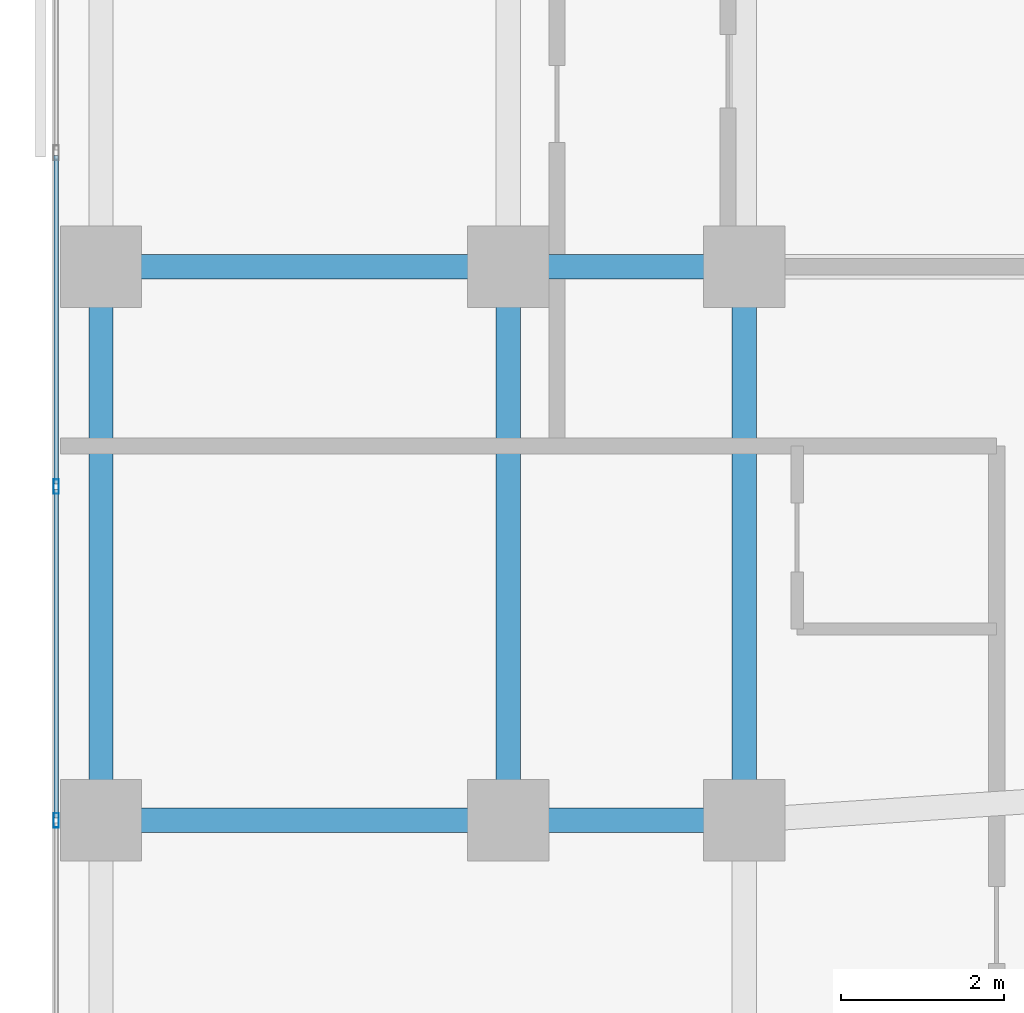
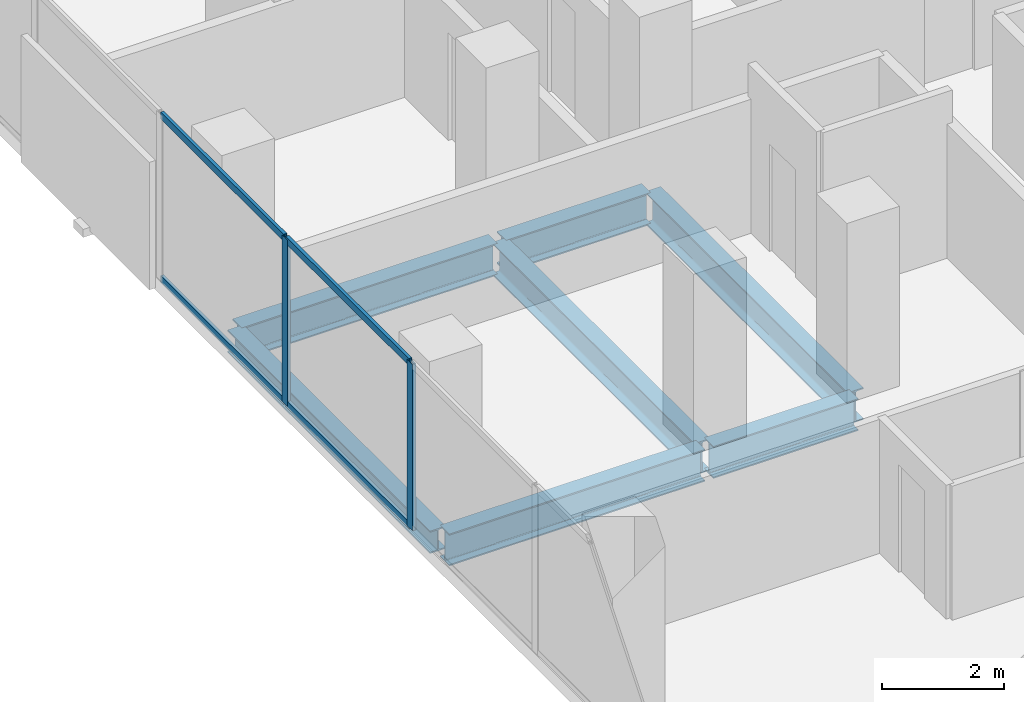
# One storey, part 10 of 32: 7 beams, 6 members, 1 element without a shape of its own.
"""IFC4 building model written with IfcOpenShell, lengths in metres."""

from ifc_helpers import new_model, si_unit, direction, frame, origin, origin_2d, place, context, subcontext, project, spatial, hollow_rectangle, i_section, extrude, material, layer, layer_set, material_profile, profile_set, type_object, element, aggregate, save


model = new_model("IFC4")

# Units and contexts
model_context = context("Model", 3, precision=1e-05, world=origin(), true_north=direction((0.0, 1.0)))
body_context = subcontext(model_context, "Body", "Model", "MODEL_VIEW")
ifc_project = project(units=[si_unit("LENGTHUNIT", "METRE"), si_unit("AREAUNIT", "SQUARE_METRE"), si_unit("VOLUMEUNIT", "CUBIC_METRE"), si_unit("PLANEANGLEUNIT", "RADIAN"), si_unit("MASSUNIT", "GRAM", prefix="KILO")], contexts=[model_context])

# Site, building, storey
site_placement = place(None, origin())
site = spatial("IfcSite", under=ifc_project, at=site_placement, CompositionType="ELEMENT")
building_placement = place(site_placement, origin())
building = spatial("IfcBuilding", under=site, at=building_placement, Name="Catumbela Crestline Tower", CompositionType="ELEMENT")
storey_placement = place(building_placement, frame((0.0, 0.0, 29.4)))
storey = spatial("IfcBuildingStorey", under=building, at=storey_placement, Name="L06", CompositionType="ELEMENT", Elevation=29.4)

# Beams
ifc_material_1 = material(Name="Structural steel S355J2", Category="steel")
ifc_material_profile_1 = material_profile(ifc_material_1, i_section(OverallWidth=0.3, OverallDepth=0.64, WebThickness=0.0135, FlangeThickness=0.026, FilletRadius=0.027, at=origin_2d()), Name="HEA 650")
ifc_profile_set_1 = profile_set([ifc_material_profile_1], Name="Structural steel S355J2")
beam_type_1 = type_object("IfcBeamType", Name="BG-HEA650", PredefinedType="BEAM", material=ifc_profile_set_1)
beam_1_placement = place(storey_placement, frame((0.68, 24.0, -0.58), z_axis=(1.0, 0.0, 0.0), x_axis=(0.0, 1.0, 0.0)))
element("IfcBeam", 1, at=beam_1_placement, inside=storey, type_object=beam_type_1, Name="L06 Beam BM-L06-S01", PredefinedType="BEAM", context=body_context, shape_type="SweptSolid", body=[
    extrude(i_section(OverallWidth=0.3, OverallDepth=0.64, WebThickness=0.0135, FlangeThickness=0.026, FilletRadius=0.027, at=origin_2d()), origin(), (0.0, 0.0, 1.0), 4.84),
])
beam_2_placement = place(storey_placement, frame((5.68, 24.0, -0.58), z_axis=(1.0, 0.0, 0.0), x_axis=(0.0, 1.0, 0.0)))
element("IfcBeam", 2, at=beam_2_placement, inside=storey, type_object=beam_type_1, Name="L06 Beam BM-L06-S02", PredefinedType="BEAM", context=body_context, shape_type="SweptSolid", body=[
    extrude(i_section(OverallWidth=0.3, OverallDepth=0.64, WebThickness=0.0135, FlangeThickness=0.026, FilletRadius=0.027, at=origin_2d()), origin(), (0.0, 0.0, 1.0), 2.74),
])
beam_3_placement = place(storey_placement, frame((0.68, 30.8, -0.58), z_axis=(1.0, 0.0, 0.0), x_axis=(0.0, 1.0, 0.0)))
element("IfcBeam", 3, at=beam_3_placement, inside=storey, type_object=beam_type_1, Name="L06 Beam BM-L06-M07", PredefinedType="BEAM", context=body_context, shape_type="SweptSolid", body=[
    extrude(i_section(OverallWidth=0.3, OverallDepth=0.64, WebThickness=0.0135, FlangeThickness=0.026, FilletRadius=0.027, at=origin_2d()), origin(), (0.0, 0.0, 1.0), 4.84),
])
beam_4_placement = place(storey_placement, frame((5.68, 30.8, -0.58), z_axis=(1.0, 0.0, 0.0), x_axis=(0.0, 1.0, 0.0)))
element("IfcBeam", 4, at=beam_4_placement, inside=storey, type_object=beam_type_1, Name="L06 Beam BM-L06-M08", PredefinedType="BEAM", context=body_context, shape_type="SweptSolid", body=[
    extrude(i_section(OverallWidth=0.3, OverallDepth=0.64, WebThickness=0.0135, FlangeThickness=0.026, FilletRadius=0.027, at=origin_2d()), origin(), (0.0, 0.0, 1.0), 2.74),
])
for number, where, z_axis, x_axis, name in (
    (5, (5.6, 24.08, -0.58), (0.0, 1.0, 0.0), (-1.0, 0.0, 0.0), "L06 Beam BM-L06-SN27"),
    (6, (8.5, 24.08, -0.58), (0.0, 1.0, 0.0), (-1.0, 0.0, 0.0), "L06 Beam BM-L06-SN29"),
):
    element("IfcBeam", number, at=place(storey_placement, frame(where, z_axis=z_axis, x_axis=x_axis)), inside=storey, type_object=beam_type_1, Name=name, PredefinedType="BEAM", context=body_context, shape_type="SweptSolid", body=[
        extrude(i_section(OverallWidth=0.3, OverallDepth=0.64, WebThickness=0.0135, FlangeThickness=0.026, FilletRadius=0.027, at=origin_2d()), origin(), (0.0, 0.0, 1.0), 6.64),
    ])

# Curtain wall, members
ifc_material_2 = material(Name="Aluminium alloy AW-6060-T66", Category="aluminium")
ifc_layer = layer(ifc_material_2, 0.18, Name="Aluminium alloy AW-6060-T66")
ifc_layer_set = layer_set([ifc_layer], Name="Aluminium alloy AW-6060-T66")
curtain_wall_type = type_object("IfcCurtainWallType", Name="CWU-Z1", PredefinedType="USERDEFINED", material=ifc_layer_set)
curtain_wall_placement = place(storey_placement, origin())
curtain_wall = element("IfcCurtainWall", 7, at=curtain_wall_placement, inside=storey, type_object=curtain_wall_type, Name="L06 Unitised Curtain Wall CW-L06-E9S1", ObjectType="UNITISED", PredefinedType="USERDEFINED")
ifc_material_profile_2 = material_profile(ifc_material_2, hollow_rectangle(XDim=0.065, YDim=0.18, WallThickness=0.004, at=origin_2d()), Name="ALU 180x65x4")
ifc_profile_set_2 = profile_set([ifc_material_profile_2], Name="Aluminium alloy AW-6060-T66")
member_type_1 = type_object("IfcMemberType", Name="MUL-180X65", PredefinedType="MULLION", material=ifc_profile_set_2)
member_1_placement = place(storey_placement, frame((0.05, 28.1, 0.0), z_axis=(0.0, 0.0, 1.0), x_axis=(1.0, 0.0, 0.0)))
member_1 = element("IfcMember", 8, at=member_1_placement, type_object=member_type_1, Name="CWU-Z1 mullion 5", PredefinedType="MULLION", context=body_context, shape_type="SweptSolid", body=[
    extrude(hollow_rectangle(XDim=0.065, YDim=0.18, WallThickness=0.004, at=origin_2d()), origin(), (0.0, 0.0, 1.0), 3.33),
])
member_2_placement = place(storey_placement, frame((0.05, 24.0, 0.0), z_axis=(0.0, 0.0, 1.0), x_axis=(1.0, 0.0, 0.0)))
member_2 = element("IfcMember", 9, at=member_2_placement, type_object=member_type_1, Name="CWU-Z1 mullion 6", PredefinedType="MULLION", context=body_context, shape_type="SweptSolid", body=[
    extrude(hollow_rectangle(XDim=0.065, YDim=0.18, WallThickness=0.004, at=origin_2d()), origin(), (0.0, 0.0, 1.0), 3.33),
])

# Beam
ifc_material_profile_3 = material_profile(ifc_material_1, i_section(OverallWidth=0.3, OverallDepth=0.45, WebThickness=0.014, FlangeThickness=0.026, FilletRadius=0.027, at=origin_2d()), Name="HEB 450")
ifc_profile_set_3 = profile_set([ifc_material_profile_3], Name="Structural steel S355J2")
beam_type_2 = type_object("IfcBeamType", Name="BS-HEB450", PredefinedType="SPANDREL", material=ifc_profile_set_3)
beam_5_placement = place(storey_placement, frame((0.6, 24.08, -0.485), z_axis=(0.0, 1.0, 0.0), x_axis=(-1.0, 0.0, 0.0)))
element("IfcBeam", 10, at=beam_5_placement, inside=storey, type_object=beam_type_2, Name="L06 Spandrel SP-L06-SN25", PredefinedType="SPANDREL", context=body_context, shape_type="SweptSolid", body=[
    extrude(i_section(OverallWidth=0.3, OverallDepth=0.45, WebThickness=0.014, FlangeThickness=0.026, FilletRadius=0.027, at=origin_2d()), origin(), (0.0, 0.0, 1.0), 6.64),
])

# Member
ifc_material_profile_4 = material_profile(ifc_material_2, hollow_rectangle(XDim=0.06, YDim=0.14, WallThickness=0.004, at=origin_2d()), Name="ALU 140x60x4")
ifc_profile_set_4 = profile_set([ifc_material_profile_4], Name="Aluminium alloy AW-6060-T66")
member_type_2 = type_object("IfcMemberType", Name="TRN-140X60", PredefinedType="USERDEFINED", material=ifc_profile_set_4)
member_3_placement = place(storey_placement, frame((0.05, 32.1675, 0.03), z_axis=(0.0, -1.0, 0.0), x_axis=(1.0, 0.0, 0.0)))
member_3 = element("IfcMember", 11, at=member_3_placement, type_object=member_type_2, Name="CWU-Z1 transom 4.1", ObjectType="TRANSOM", PredefinedType="USERDEFINED", context=body_context, shape_type="SweptSolid", body=[
    extrude(hollow_rectangle(XDim=0.06, YDim=0.14, WallThickness=0.004, at=origin_2d()), origin(), (0.0, 0.0, 1.0), 4.035),
])

member_4_placement = place(storey_placement, frame((0.05, 32.1675, 3.3), z_axis=(0.0, -1.0, 0.0), x_axis=(1.0, 0.0, 0.0)))
member_4 = element("IfcMember", 12, at=member_4_placement, type_object=member_type_2, Name="CWU-Z1 transom 4.2", ObjectType="TRANSOM", PredefinedType="USERDEFINED", context=body_context, shape_type="SweptSolid", body=[
    extrude(hollow_rectangle(XDim=0.06, YDim=0.14, WallThickness=0.004, at=origin_2d()), origin(), (0.0, 0.0, 1.0), 4.035),
])

member_5_placement = place(storey_placement, frame((0.05, 28.0675, 0.03), z_axis=(0.0, -1.0, 0.0), x_axis=(1.0, 0.0, 0.0)))
member_5 = element("IfcMember", 13, at=member_5_placement, type_object=member_type_2, Name="CWU-Z1 transom 5.1", ObjectType="TRANSOM", PredefinedType="USERDEFINED", context=body_context, shape_type="SweptSolid", body=[
    extrude(hollow_rectangle(XDim=0.06, YDim=0.14, WallThickness=0.004, at=origin_2d()), origin(), (0.0, 0.0, 1.0), 4.035),
])

member_6_placement = place(storey_placement, frame((0.05, 28.0675, 3.3), z_axis=(0.0, -1.0, 0.0), x_axis=(1.0, 0.0, 0.0)))
member_6 = element("IfcMember", 14, at=member_6_placement, type_object=member_type_2, Name="CWU-Z1 transom 5.2", ObjectType="TRANSOM", PredefinedType="USERDEFINED", context=body_context, shape_type="SweptSolid", body=[
    extrude(hollow_rectangle(XDim=0.06, YDim=0.14, WallThickness=0.004, at=origin_2d()), origin(), (0.0, 0.0, 1.0), 4.035),
])

aggregate(curtain_wall, [member_1, member_2, member_3, member_4, member_5, member_6])

save(model, "model.ifc")
